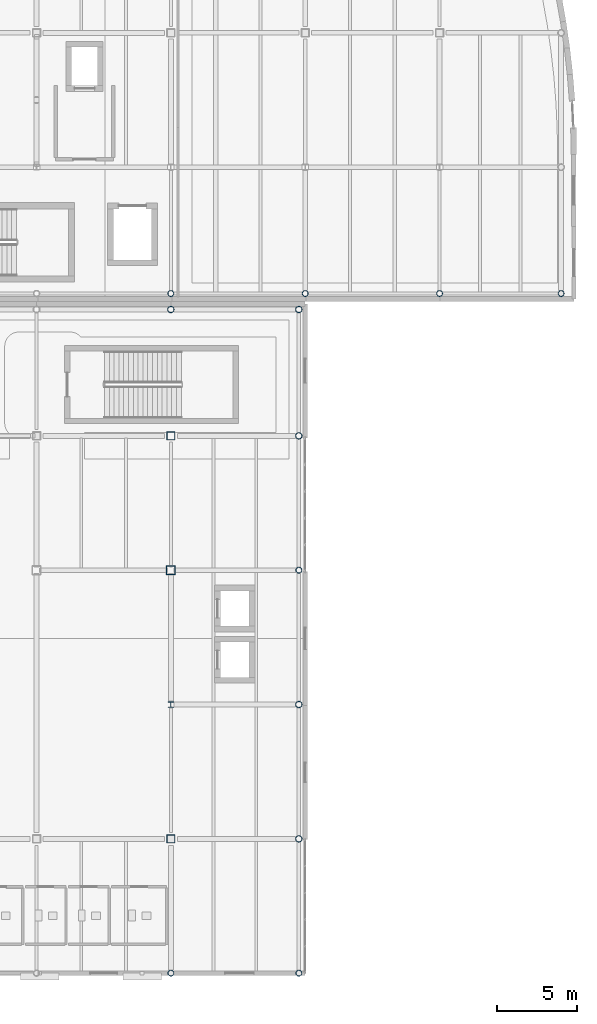
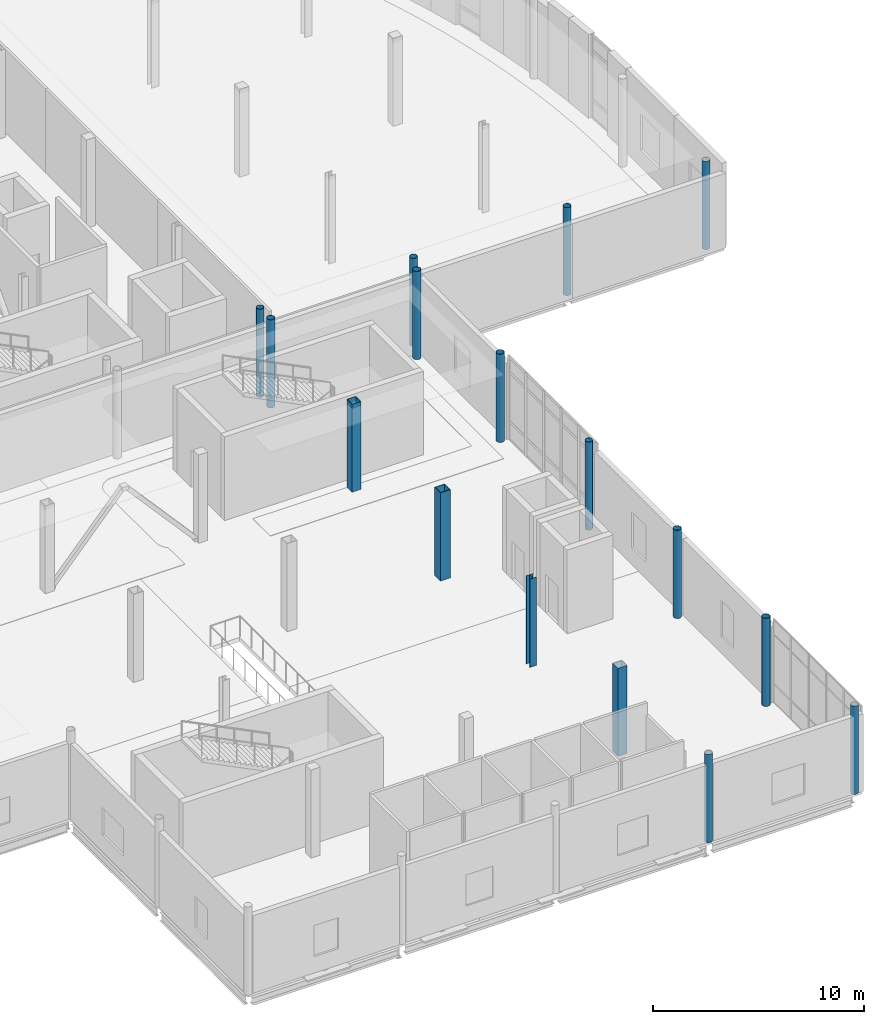
# One storey, part 12 of 104: 16 columns.
"""IFC4 building model written with IfcOpenShell, lengths in metres."""

from ifc_helpers import new_model, si_unit, direction, frame, origin, origin_2d, place, context, subcontext, project, spatial, hollow_rectangle, hollow_circle, i_section, extrude, material, material_profile, profile_set, type_object, element, save


model = new_model("IFC4")

# Units and contexts
model_context = context("Model", 3, precision=1e-05, world=origin(), true_north=direction((0.0, 1.0)))
body_context = subcontext(model_context, "Body", "Model", "MODEL_VIEW")
ifc_project = project(units=[si_unit("LENGTHUNIT", "METRE"), si_unit("AREAUNIT", "SQUARE_METRE"), si_unit("VOLUMEUNIT", "CUBIC_METRE"), si_unit("PLANEANGLEUNIT", "RADIAN"), si_unit("MASSUNIT", "GRAM", prefix="KILO"), si_unit("THERMODYNAMICTEMPERATUREUNIT", "KELVIN")], contexts=[model_context])

# Site, building, storey
site_placement = place(None, origin())
site = spatial("IfcSite", under=ifc_project, at=site_placement, CompositionType="ELEMENT")
building_placement = place(site_placement, origin())
building = spatial("IfcBuilding", under=site, at=building_placement, Name="Lustrewick Department Store", CompositionType="ELEMENT")
storey_placement = place(building_placement, frame((0.0, 0.0, 11.39990234375)))
storey = spatial("IfcBuildingStorey", under=building, at=storey_placement, Name="L03", CompositionType="ELEMENT", Elevation=11.39990234375)

# Columns
ifc_material_1 = material(Name="Structural steel Q355C", Category="steel")
ifc_material_profile_1 = material_profile(ifc_material_1, hollow_rectangle(XDim=0.550048828125, YDim=0.550048828125, WallThickness=0.02197265625, at=origin_2d()), Name="BOX 550x550x22")
ifc_profile_set_1 = profile_set([ifc_material_profile_1], Name="Structural steel Q355C")
column_type_1 = type_object("IfcColumnType", Name="C05", PredefinedType="COLUMN", material=ifc_profile_set_1)
column_1_placement = place(storey_placement, frame((142.800048828125, 33.60009765625, 0.0), z_axis=(0.0, 0.0, 1.0), x_axis=(1.0, 0.0, 0.0)))
element("IfcColumn", 1, at=column_1_placement, inside=storey, type_object=column_type_1, Name="L03 V3 Column C05", PredefinedType="COLUMN", context=body_context, shape_type="SweptSolid", body=[
    extrude(hollow_rectangle(XDim=0.550048828125, YDim=0.550048828125, WallThickness=0.02197265625, at=origin_2d()), origin(), (0.0, 0.0, 1.0), 5.10009765625),
])
ifc_material_2 = material(Name="Structural steel Q355B", Category="steel")
ifc_material_profile_2 = material_profile(ifc_material_2, hollow_rectangle(XDim=0.5, YDim=0.5, WallThickness=0.02001953125, at=origin_2d()), Name="BOX 500x500x20")
ifc_profile_set_2 = profile_set([ifc_material_profile_2], Name="Structural steel Q355B")
column_type_2 = type_object("IfcColumnType", Name="C06", PredefinedType="COLUMN", material=ifc_profile_set_2)
for number, where, z_axis, x_axis, name in (
    (2, (142.800048828125, 16.800048828125, 0.0), (0.0, 0.0, 1.0), (1.0, 0.0, 0.0), "L03 V3 Column C06"),
    (3, (142.800048828125, 42.0, 0.0), (0.0, 0.0, 1.0), (1.0, 0.0, 0.0), "L03 V3 Column C06"),
):
    element("IfcColumn", number, at=place(storey_placement, frame(where, z_axis=z_axis, x_axis=x_axis)), inside=storey, type_object=column_type_2, Name=name, PredefinedType="COLUMN", context=body_context, shape_type="SweptSolid", body=[
        extrude(hollow_rectangle(XDim=0.5, YDim=0.5, WallThickness=0.02001953125, at=origin_2d()), origin(), (0.0, 0.0, 1.0), 5.10009765625),
    ])
ifc_material_profile_3 = material_profile(ifc_material_2, i_section(OverallWidth=0.35009765625, OverallDepth=0.35009765625, WebThickness=0.011962890625, FlangeThickness=0.01904296875, FilletRadius=0.02001953125, at=origin_2d()), Name="HW 350x350x12x19")
ifc_profile_set_3 = profile_set([ifc_material_profile_3], Name="Structural steel Q355B")
column_type_3 = type_object("IfcColumnType", Name="C13", PredefinedType="COLUMN", material=ifc_profile_set_3)
column_2_placement = place(storey_placement, frame((142.800048828125, 25.199951171875, 0.0), z_axis=(0.0, 0.0, 1.0), x_axis=(1.0, 0.0, 0.0)))
element("IfcColumn", 4, at=column_2_placement, inside=storey, type_object=column_type_3, Name="L03 V3 Column C13", PredefinedType="COLUMN", context=body_context, shape_type="SweptSolid", body=[
    extrude(i_section(OverallWidth=0.35009765625, OverallDepth=0.35009765625, WebThickness=0.011962890625, FlangeThickness=0.01904296875, FilletRadius=0.02001953125, at=origin_2d()), origin(), (0.0, 0.0, 1.0), 5.10009765625),
])
ifc_material_profile_4 = material_profile(ifc_material_1, hollow_circle(Radius=0.202880859375, WallThickness=0.01611328125, at=origin_2d()), Name="CHS 406x16")
ifc_profile_set_4 = profile_set([ifc_material_profile_4], Name="Structural steel Q355C")
column_type_4 = type_object("IfcColumnType", Name="CE03", PredefinedType="COLUMN", material=ifc_profile_set_4)
for number, where, z_axis, x_axis, name in (
    (5, (142.800048828125, 49.89990234375, 0.0), (0.0, 0.0, 1.0), (1.0, 0.0, 0.0), "L03 V3 Column CE03"),
    (6, (150.800048828125, 16.800048828125, 0.0), (0.0, 0.0, 1.0), (1.0, 0.0, 0.0), "L03 V3 Column CE03"),
    (7, (150.800048828125, 25.199951171875, 0.0), (0.0, 0.0, 1.0), (1.0, 0.0, 0.0), "L03 V3 Column CE03"),
    (8, (150.800048828125, 42.0, 0.0), (0.0, 0.0, 1.0), (1.0, 0.0, 0.0), "L03 V3 Column CE03"),
    (9, (150.800048828125, 49.89990234375, 0.0), (0.0, 0.0, 1.0), (1.0, 0.0, 0.0), "L03 V3 Column CE03"),
):
    element("IfcColumn", number, at=place(storey_placement, frame(where, z_axis=z_axis, x_axis=x_axis)), inside=storey, type_object=column_type_4, Name=name, PredefinedType="COLUMN", context=body_context, shape_type="SweptSolid", body=[
        extrude(hollow_circle(Radius=0.202880859375, WallThickness=0.01611328125, at=origin_2d()), origin(), (0.0, 0.0, 1.0), 5.10009765625),
    ])
ifc_material_profile_5 = material_profile(ifc_material_2, hollow_circle(Radius=0.1884765625, WallThickness=0.013916015625, at=origin_2d()), Name="CHS 377x14")
ifc_profile_set_5 = profile_set([ifc_material_profile_5], Name="Structural steel Q355B")
column_type_5 = type_object("IfcColumnType", Name="CE04", PredefinedType="COLUMN", material=ifc_profile_set_5)
for number, where, z_axis, x_axis, name in (
    (10, (142.800048828125, 8.39990234375, 0.0), (0.0, 0.0, 1.0), (1.0, 0.0, 0.0), "L03 V3 Column CE04"),
    (11, (150.800048828125, 8.39990234375, 0.0), (0.0, 0.0, 1.0), (1.0, 0.0, 0.0), "L03 V3 Column CE04"),
    (12, (150.800048828125, 33.60009765625, 0.0), (0.0, 0.0, 1.0), (1.0, 0.0, 0.0), "L03 V3 Column CE04"),
    (13, (142.800048828125, 50.89990234375, 0.0), (0.0, 0.0, 1.0), (1.0, 0.0, 0.0), "L03 V4 Column CE04"),
    (14, (151.199951171875, 50.89990234375, 0.0), (0.0, 0.0, 1.0), (1.0, 0.0, 0.0), "L03 V4 Column CE04"),
    (15, (159.60009765625, 50.89990234375, 0.0), (0.0, 0.0, 1.0), (1.0, 0.0, 0.0), "L03 V4 Column CE04"),
    (16, (167.199951171875, 50.89990234375, 0.0), (0.0, 0.0, 1.0), (1.0, 0.0, 0.0), "L03 V4 Column CE04"),
):
    element("IfcColumn", number, at=place(storey_placement, frame(where, z_axis=z_axis, x_axis=x_axis)), inside=storey, type_object=column_type_5, Name=name, PredefinedType="COLUMN", context=body_context, shape_type="SweptSolid", body=[
        extrude(hollow_circle(Radius=0.1884765625, WallThickness=0.013916015625, at=origin_2d()), origin(), (0.0, 0.0, 1.0), 5.10009765625),
    ])

save(model, "model.ifc")
